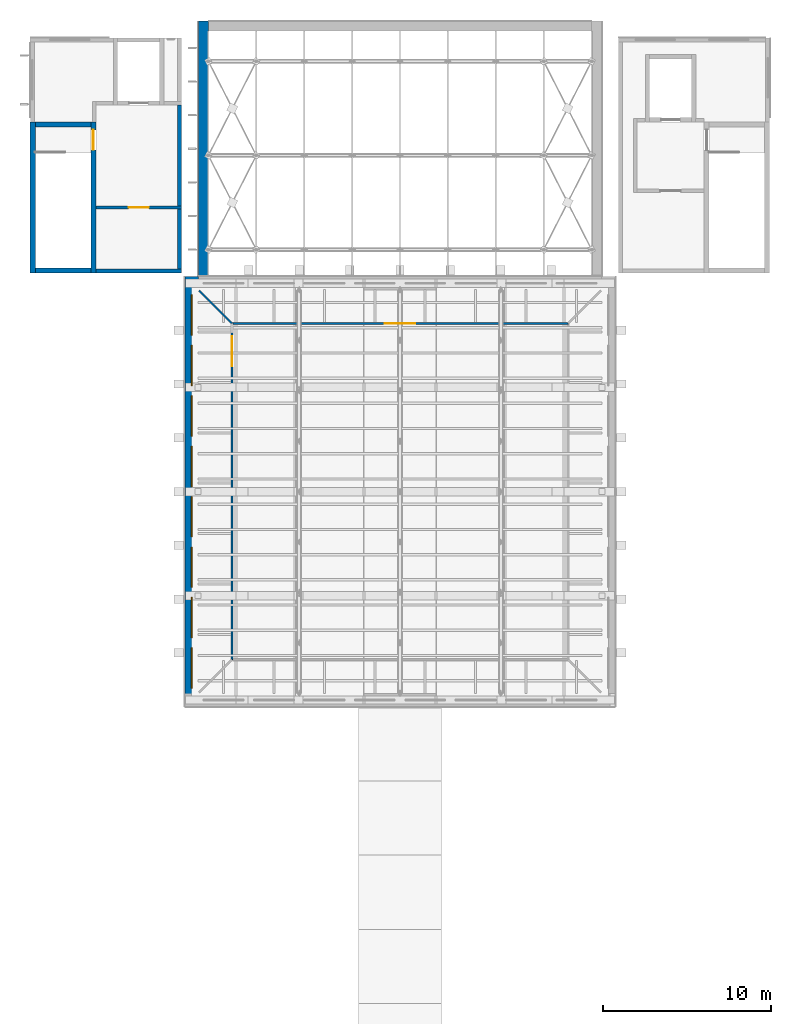
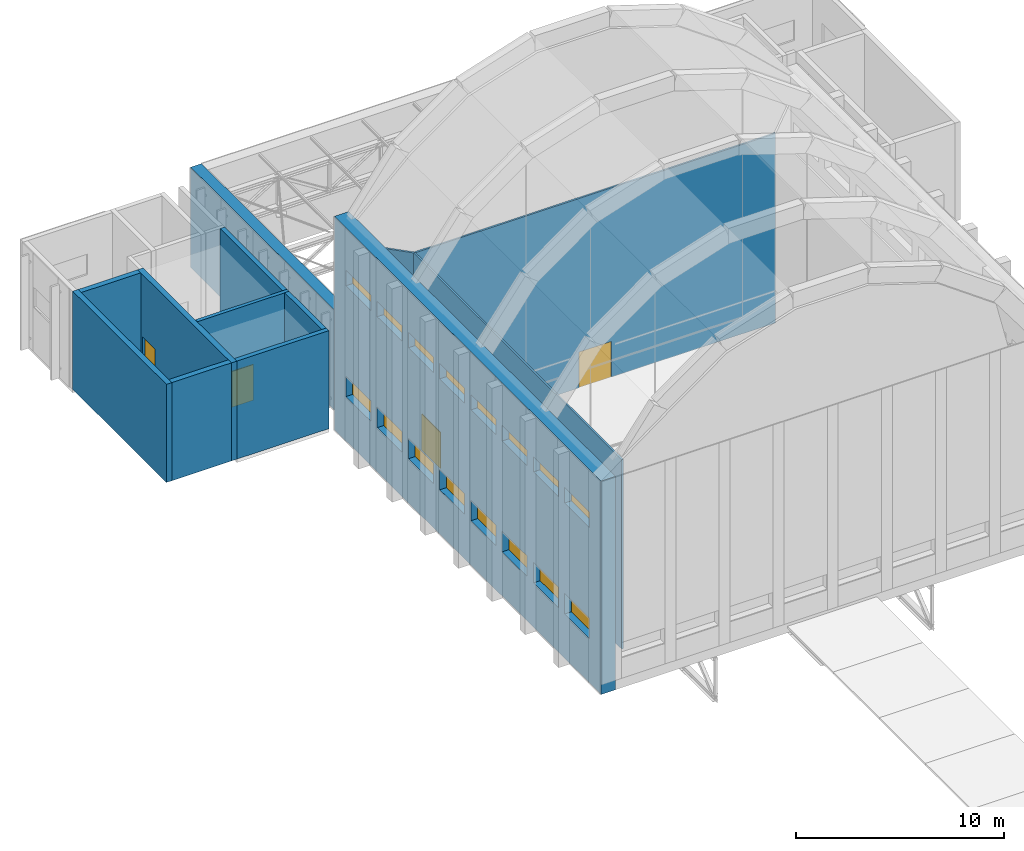
# One storey, part 45 of 55: 16 windows, 13 walls, 4 doors, 20 openings.
"""IFC4 building model written with IfcOpenShell, lengths in metres."""

import ifcopenshell
import ifcopenshell.guid

model = None  # the IFC model being written
_history = None  # IfcOwnerHistory: only IFC2X3 demands one
_inside = {}  # id of a spatial element -> (the spatial element, [elements in it])
_under = {}  # id of a project, library or spatial element -> (it, [spatial elements below it])
_declared = {}  # id of a project -> (the project, [libraries it declares])
_typed = {}  # id of a type object -> (the type object, [elements of that type])
_made_of = {}  # id of a material, layer set ... -> (it, [elements and type objects made of it])


def new_model(schema):
    """Start an empty IFC model of exactly this schema.

    Asked for "IFC4X3", IfcOpenShell would pick the latest addendum, in which some entities
    have other attributes; the version numbers below select the first issue.
    IFC2X3 requires an IfcOwnerHistory on every rooted entity: one is made here for all.
    """
    global model, _history
    if schema == "IFC4X3":
        model = ifcopenshell.file(schema_version=(4, 3, 0, 0))
    else:
        model = ifcopenshell.file(schema=schema)
    _inside.clear()
    _under.clear()
    _declared.clear()
    _typed.clear()
    _made_of.clear()
    _history = None
    if model.schema == "IFC2X3":
        org = make("IfcOrganization", Name="unknown")
        user = make(
            "IfcPersonAndOrganization",
            ThePerson=make("IfcPerson", FamilyName="unknown"),
            TheOrganization=org,
        )
        app = make(
            "IfcApplication",
            ApplicationDeveloper=org,
            Version="unknown",
            ApplicationFullName="unknown",
            ApplicationIdentifier="unknown",
        )
        _history = make(
            "IfcOwnerHistory",
            OwningUser=user,
            OwningApplication=app,
            ChangeAction="ADDED",
            CreationDate=0,
        )
    return model


def make(cls, **values):
    """One entity of the class cls with the attributes given. An attribute that is None is left unset."""
    return model.create_entity(
        cls, **{name: value for name, value in values.items() if value is not None}
    )


def rooted(cls, **values):
    """An entity with a GlobalId (a new one), such as an element, a storey or a relation."""
    return make(cls, GlobalId=ifcopenshell.guid.new(), OwnerHistory=_history, **values)


def si_unit(unit_type, name, prefix=None):
    """IfcSIUnit, for example si_unit("LENGTHUNIT", "METRE", prefix="MILLI")."""
    return make("IfcSIUnit", UnitType=unit_type, Prefix=prefix, Name=name)


def assignment(units):
    """IfcUnitAssignment: the units of a project."""
    return None if units is None else make("IfcUnitAssignment", Units=units)


def point(xyz):
    """IfcCartesianPoint."""
    return None if xyz is None else make("IfcCartesianPoint", Coordinates=xyz)


def direction(xyz):
    """IfcDirection."""
    return None if xyz is None else make("IfcDirection", DirectionRatios=xyz)


def frame(location, z_axis=None, x_axis=None):
    """IfcAxis2Placement3D, a coordinate frame: its origin and axes. An axis left out is left unset."""
    return make(
        "IfcAxis2Placement3D",
        Location=point(location),
        Axis=direction(z_axis),
        RefDirection=direction(x_axis),
    )


def frame_2d(location, x_axis=None):
    """IfcAxis2Placement2D, a coordinate frame in the plane: its origin and x axis."""
    return make(
        "IfcAxis2Placement2D", Location=point(location), RefDirection=direction(x_axis)
    )


def origin():
    """The frame at (0, 0, 0) with its axes left unset."""
    return frame((0.0, 0.0, 0.0))


def place(relative_to, where):
    """IfcLocalPlacement: puts the frame where relative to a parent placement (None: the world)."""
    return make(
        "IfcLocalPlacement", PlacementRelTo=relative_to, RelativePlacement=where
    )


def context(
    kind, dimensions, precision=None, world=None, true_north=None, identifier=None
):
    """IfcGeometricRepresentationContext, for example the 3D "Model" context."""
    return make(
        "IfcGeometricRepresentationContext",
        ContextIdentifier=identifier,
        ContextType=kind,
        CoordinateSpaceDimension=dimensions,
        Precision=precision,
        WorldCoordinateSystem=world,
        TrueNorth=true_north,
    )


def subcontext(parent, identifier, kind, view, scale=None):
    """IfcGeometricRepresentationSubContext, for example "Body" below "Model"."""
    return make(
        "IfcGeometricRepresentationSubContext",
        ContextIdentifier=identifier,
        ContextType=kind,
        ParentContext=parent,
        TargetScale=scale,
        TargetView=view,
    )


def project(units=None, contexts=None):
    """IfcProject with its units and contexts."""
    return rooted(
        "IfcProject",
        Name="project",
        RepresentationContexts=contexts,
        UnitsInContext=assignment(units),
    )


def spatial(cls, under=None, at=None, **own):
    """A site, building, storey or space (cls), placed at a placement, below another one or the project."""
    s = rooted(cls, ObjectPlacement=at, **own)
    if under is not None:
        _under.setdefault(under.id(), (under, []))[1].append(s)
    return s


def profile(cls, at=None, kind="AREA", **sizes):
    """A parametric profile (cls). Its sizes go by their IFC names, for example OverallWidth=200.0."""
    return make(cls, ProfileType=kind, Position=at, **sizes)


def rectangle(**sizes):
    """IfcRectangleProfileDef."""
    return profile("IfcRectangleProfileDef", **sizes)


def extrude(swept, where, along, depth):
    """IfcExtrudedAreaSolid: the profile swept, set in the frame where, extruded along a direction by depth."""
    return make(
        "IfcExtrudedAreaSolid",
        SweptArea=swept,
        Position=where,
        ExtrudedDirection=direction(along),
        Depth=depth,
    )


def shape(context_of_items, identifier, shape_type, items):
    """IfcShapeRepresentation: the items that make up one representation, for example the "Body"."""
    return make(
        "IfcShapeRepresentation",
        ContextOfItems=context_of_items,
        RepresentationIdentifier=identifier,
        RepresentationType=shape_type,
        Items=items,
    )


def material(Name=None, Category=None):
    """IfcMaterial."""
    return make("IfcMaterial", Name=Name, Category=Category)


def layer(
    of_material, thickness, ventilated=None, Name=None, Category=None, Priority=None
):
    """IfcMaterialLayer: one layer of a wall or slab, of a material (None: an air gap)."""
    return make(
        "IfcMaterialLayer",
        Material=of_material,
        LayerThickness=thickness,
        IsVentilated=ventilated,
        Name=Name,
        Category=Category,
        Priority=Priority,
    )


def layer_set(layers, Name=None):
    """IfcMaterialLayerSet."""
    return make("IfcMaterialLayerSet", MaterialLayers=layers, LayerSetName=Name)


def made_of(thing, what):
    """Note that an element or type object is made of a material, layer set ...; save() writes the relation."""
    if what is not None:
        _made_of.setdefault(what.id(), (what, []))[1].append(thing)
    return thing


def type_object(cls, material=None, **own):
    """A type object (cls), such as IfcWallType, which elements share."""
    return made_of(rooted(cls, **own), material)


def element(
    cls,
    number,
    at=None,
    inside=None,
    cuts=None,
    type_object=None,
    material=None,
    context=None,
    identifier="Body",
    shape_type=None,
    held_by="IfcProductDefinitionShape",
    body=None,
    shapes=None,
    **own,
):
    """One element of the class cls, such as IfcWall. Its Tag is "e" and its number.

    at: its placement. inside: the storey or other place that contains it. cuts: it is an
    opening in that element (IfcRelVoidsElement). A single representation is given by context,
    identifier, shape_type and body (its items); several are given by shapes. held_by: the class
    of the entity that holds the representations. save() writes the other relations.
    """
    e = rooted(cls, Tag="e%d" % number, ObjectPlacement=at, **own)
    if body is not None:
        shapes = [shape(context, identifier, shape_type, body)]
    if shapes is not None:
        e.Representation = make(held_by, Representations=shapes)
    if inside is not None:
        _inside.setdefault(inside.id(), (inside, []))[1].append(e)
    if cuts is not None:
        rooted(
            "IfcRelVoidsElement", RelatingBuildingElement=cuts, RelatedOpeningElement=e
        )
    if type_object is not None:
        _typed.setdefault(type_object.id(), (type_object, []))[1].append(e)
    return made_of(e, material)


def fill(opening, filler):
    """IfcRelFillsElement: the door or window that sits in an opening."""
    return rooted(
        "IfcRelFillsElement",
        RelatingOpeningElement=opening,
        RelatedBuildingElement=filler,
    )


def aggregate(whole, parts):
    """IfcRelAggregates: a whole, such as a stair, and the parts it consists of."""
    return rooted("IfcRelAggregates", RelatingObject=whole, RelatedObjects=parts)


def save(model, path):
    """Write the relations noted so far, then the file.

    IfcRelAggregates (storeys below a building ...), IfcRelContainedInSpatialStructure (elements
    in a storey), IfcRelDefinesByType, IfcRelAssociatesMaterial and IfcRelDeclares: one each for
    every whole, place, type object, material and project.
    """
    for whole, parts in _under.values():
        aggregate(whole, parts)
    for where, things in _inside.values():
        rooted(
            "IfcRelContainedInSpatialStructure",
            RelatedElements=things,
            RelatingStructure=where,
        )
    for kind, things in _typed.values():
        rooted("IfcRelDefinesByType", RelatedObjects=things, RelatingType=kind)
    for what, things in _made_of.values():
        rooted("IfcRelAssociatesMaterial", RelatedObjects=things, RelatingMaterial=what)
    for by, libraries in _declared.values():
        rooted("IfcRelDeclares", RelatingContext=by, RelatedDefinitions=libraries)
    model.write(path)


model = new_model("IFC4")

# Units and contexts
model_context = context("Model", 3, precision=1e-05, world=origin(), true_north=direction((0.0, 1.0)))
body_context = subcontext(model_context, "Body", "Model", "MODEL_VIEW")
ifc_project = project(units=[si_unit("LENGTHUNIT", "METRE"), si_unit("AREAUNIT", "SQUARE_METRE"), si_unit("VOLUMEUNIT", "CUBIC_METRE"), si_unit("PLANEANGLEUNIT", "RADIAN"), si_unit("MASSUNIT", "GRAM", prefix="KILO")], contexts=[model_context])

# Site, building, storey
site_placement = place(None, origin())
site = spatial("IfcSite", under=ifc_project, at=site_placement, CompositionType="ELEMENT")
building_placement = place(site_placement, origin())
building = spatial("IfcBuilding", under=site, at=building_placement, Name="Lunette Opera House", CompositionType="ELEMENT")
storey_placement = place(building_placement, frame((0.0, 0.0, 34.0)))
storey = spatial("IfcBuildingStorey", under=building, at=storey_placement, Name="L06", CompositionType="ELEMENT", Elevation=34.0)

# Wall, opening, door
ifc_material_1 = material(Name="Concrete C35/45", Category="concrete")
ifc_layer_1 = layer(ifc_material_1, 0.199951171875)
ifc_layer_set_1 = layer_set([ifc_layer_1], Name="Concrete C35/45")
wall_type_1 = type_object("IfcWallType", Name="LOBBY WALL 200", PredefinedType="PARTITIONING", material=ifc_layer_set_1)
wall_1_placement = place(storey_placement, frame((77.919921875, 124.89990234375, 0.0), z_axis=(0.0, 0.0, 1.0), x_axis=(1.0, 0.0, 0.0)))
wall_1 = element("IfcWall", 1, at=wall_1_placement, inside=storey, type_object=wall_type_1, Name="LL-SW lobby wall 4a", PredefinedType="PARTITIONING", context=body_context, shape_type="SweptSolid", body=[
    extrude(rectangle(XDim=5.080078125, YDim=0.199951171875, at=frame_2d((2.5400390625, 0.0))), origin(), (0.0, 0.0, 1.0), 5.75),
])
opening_1_placement = place(wall_1_placement, frame((1.93994140625, 0.0, 0.0)))
opening_1 = element("IfcOpeningElement", 2, at=opening_1_placement, cuts=wall_1, Name="Opening ST-D7040", PredefinedType="OPENING", context=body_context, shape_type="SweptSolid", body=[
    extrude(rectangle(XDim=1.199951171875, YDim=2.10009765625, at=frame_2d((0.60009765625, 1.050048828125))), frame((0.0, 0.112060546875, 0.0), z_axis=(0.0, -1.0, 0.0), x_axis=(1.0, 0.0, 0.0)), (0.0, 0.0, 1.0), 0.223876953125),
])
ifc_material_2 = material(Name="Steel", Category="steel")
door_type_1 = type_object("IfcDoorType", Name="FIRE DOOR 1200 X 2100", OperationType="SINGLE_SWING_LEFT", PredefinedType="DOOR", material=ifc_material_2)
door_1_placement = place(opening_1_placement, origin())
door_1 = element("IfcDoor", 3, at=door_1_placement, inside=storey, type_object=door_type_1, Name="LL-SW lobby door", OperationType="SINGLE_SWING_LEFT", OverallHeight=2.10009765625, OverallWidth=1.199951171875, PredefinedType="DOOR", context=body_context, shape_type="SweptSolid", body=[
    extrude(rectangle(XDim=1.199951171875, YDim=2.10009765625, at=frame_2d((0.60009765625, 1.050048828125))), frame((0.0, 0.02490234375, 0.0), z_axis=(0.0, -1.0, 0.0), x_axis=(1.0, 0.0, 0.0)), (0.0, 0.0, 1.0), 0.050048828125),
])
fill(opening_1, door_1)

ifc_material_3 = material(Name="Concrete C35/45", Category="concrete")
ifc_layer_2 = layer(ifc_material_3, 0.300048828125)
ifc_layer_set_2 = layer_set([ifc_layer_2], Name="Concrete C35/45")
wall_type_2 = type_object("IfcWallType", Name="RC STAIR ENCLOSURE WALL 300", PredefinedType="SOLIDWALL", material=ifc_layer_set_2)
wall_2_placement = place(storey_placement, frame((77.75, 121.0, 0.0), z_axis=(0.0, 0.0, 1.0), x_axis=(0.0, 1.0, 0.0)))
wall_2 = element("IfcWall", 4, at=wall_2_placement, inside=storey, type_object=wall_type_2, Name="ST11 enclosure wall 1", PredefinedType="SOLIDWALL", context=body_context, shape_type="SweptSolid", body=[
    extrude(rectangle(XDim=9.0, YDim=0.300048828125, at=frame_2d((4.5, 0.0))), origin(), (0.0, 0.0, 1.0), 5.75),
])
opening_2_placement = place(wall_2_placement, frame((7.324951171875, 0.0, 0.0)))
opening_2 = element("IfcOpeningElement", 5, at=opening_2_placement, cuts=wall_2, Name="Opening ST-D7009", PredefinedType="OPENING", context=body_context, shape_type="SweptSolid", body=[
    extrude(rectangle(XDim=1.199951171875, YDim=2.10009765625, at=frame_2d((0.60009765625, 1.050048828125))), frame((0.0, 0.162109375, 0.0), z_axis=(0.0, -1.0, 0.0), x_axis=(1.0, 0.0, 0.0)), (0.0, 0.0, 1.0), 0.323974609375),
])
door_2_placement = place(opening_2_placement, origin())
door_2 = element("IfcDoor", 6, at=door_2_placement, inside=storey, type_object=door_type_1, Name="ST11 stair door", OperationType="SINGLE_SWING_LEFT", OverallHeight=2.10009765625, OverallWidth=1.199951171875, PredefinedType="DOOR", context=body_context, shape_type="SweptSolid", body=[
    extrude(rectangle(XDim=1.199951171875, YDim=2.10009765625, at=frame_2d((0.60009765625, 1.050048828125))), frame((0.0, 0.02490234375, 0.0), z_axis=(0.0, -1.0, 0.0), x_axis=(1.0, 0.0, 0.0)), (0.0, 0.0, 1.0), 0.050048828125),
])
fill(opening_2, door_2)

# Walls
wall_3_placement = place(storey_placement, frame((77.60009765625, 129.85009765625, 0.0), z_axis=(0.0, 0.0, 1.0), x_axis=(-1.0, 0.0, 0.0)))
element("IfcWall", 7, at=wall_3_placement, inside=storey, type_object=wall_type_2, Name="ST11 enclosure wall 2", PredefinedType="SOLIDWALL", context=body_context, shape_type="SweptSolid", body=[
    extrude(rectangle(XDim=3.300048828125, YDim=0.300048828125, at=frame_2d((1.64990234375, 0.0))), origin(), (0.0, 0.0, 1.0), 5.75),
])
wall_4_placement = place(storey_placement, frame((74.14990234375, 130.0, 0.0), z_axis=(0.0, 0.0, 1.0), x_axis=(0.0, -1.0, 0.0)))
element("IfcWall", 8, at=wall_4_placement, inside=storey, type_object=wall_type_2, Name="ST11 enclosure wall 3", PredefinedType="SOLIDWALL", context=body_context, shape_type="SweptSolid", body=[
    extrude(rectangle(XDim=9.0, YDim=0.300048828125, at=frame_2d((4.5, 0.0))), origin(), (0.0, 0.0, 1.0), 5.75),
])
wall_5_placement = place(storey_placement, frame((74.300048828125, 121.14990234375, 0.0), z_axis=(0.0, 0.0, 1.0), x_axis=(1.0, 0.0, 0.0)))
element("IfcWall", 9, at=wall_5_placement, inside=storey, type_object=wall_type_2, Name="ST11 enclosure wall 4", PredefinedType="SOLIDWALL", context=body_context, shape_type="SweptSolid", body=[
    extrude(rectangle(XDim=3.300048828125, YDim=0.300048828125, at=frame_2d((1.64990234375, 0.0))), origin(), (0.0, 0.0, 1.0), 5.75),
])
ifc_material_4 = material(Name="Concrete C35/45", Category="concrete")
ifc_layer_3 = layer(ifc_material_4, 0.60009765625)
ifc_layer_set_3 = layer_set([ifc_layer_3], Name="Concrete C35/45")
wall_type_3 = type_object("IfcWallType", Name="RC WALL 600", PredefinedType="SHEAR", material=ifc_layer_set_3)
wall_6_placement = place(storey_placement, frame((84.300048828125, 120.800048828125, 0.0), z_axis=(0.0, 0.0, 1.0), x_axis=(0.0, 1.0, 0.0)))
element("IfcWall", 10, at=wall_6_placement, inside=storey, type_object=wall_type_3, Name="wall-ST-L06-SR-W-1", PredefinedType="SHEAR", context=body_context, shape_type="SweptSolid", body=[
    extrude(rectangle(XDim=15.199951171875, YDim=0.60009765625, at=frame_2d((7.60009765625, 0.0))), origin(), (0.0, 0.0, 1.0), 5.8798828125),
])

# Wall, openings, windows
ifc_material_5 = material(Name="Concrete C40/50", Category="concrete")
ifc_layer_4 = layer(ifc_material_5, 0.800048828125)
ifc_layer_set_4 = layer_set([ifc_layer_4], Name="Concrete C40/50")
wall_type_4 = type_object("IfcWallType", Name="RC WALL 800", PredefinedType="SHEAR", material=ifc_layer_set_4)
wall_7_placement = place(storey_placement, frame((83.60009765625, 95.199951171875, 0.0), z_axis=(0.0, 0.0, 1.0), x_axis=(0.0, 1.0, 0.0)))
wall_7 = element("IfcWall", 11, at=wall_7_placement, inside=storey, type_object=wall_type_4, Name="wall-ST-L06-WW-1", PredefinedType="SHEAR", context=body_context, shape_type="SweptSolid", body=[
    extrude(rectangle(XDim=25.60009765625, YDim=0.800048828125, at=frame_2d((12.800048828125, 0.0))), origin(), (0.0, 0.0, 1.0), 12.5),
])
opening_3_placement = place(wall_7_placement, frame((1.10009765625, 0.0, 2.60009765625)))
opening_3 = element("IfcOpeningElement", 12, at=opening_3_placement, cuts=wall_7, Name="Opening ST-N2017", PredefinedType="OPENING", context=body_context, shape_type="SweptSolid", body=[
    extrude(rectangle(XDim=2.39990234375, YDim=1.199951171875, at=frame_2d((1.199951171875, 0.60009765625))), frame((0.0, 0.412109375, 0.0), z_axis=(0.0, -1.0, 0.0), x_axis=(1.0, 0.0, 0.0)), (0.0, 0.0, 1.0), 0.823974609375),
])
opening_4_placement = place(wall_7_placement, frame((4.10009765625, 0.0, 2.60009765625)))
opening_4 = element("IfcOpeningElement", 13, at=opening_4_placement, cuts=wall_7, Name="Opening ST-N2018", PredefinedType="OPENING", context=body_context, shape_type="SweptSolid", body=[
    extrude(rectangle(XDim=2.39990234375, YDim=1.199951171875, at=frame_2d((1.199951171875, 0.60009765625))), frame((0.0, 0.412109375, 0.0), z_axis=(0.0, -1.0, 0.0), x_axis=(1.0, 0.0, 0.0)), (0.0, 0.0, 1.0), 0.823974609375),
])
opening_5_placement = place(wall_7_placement, frame((7.10009765625, 0.0, 2.60009765625)))
opening_5 = element("IfcOpeningElement", 14, at=opening_5_placement, cuts=wall_7, Name="Opening ST-N2019", PredefinedType="OPENING", context=body_context, shape_type="SweptSolid", body=[
    extrude(rectangle(XDim=2.39990234375, YDim=1.199951171875, at=frame_2d((1.199951171875, 0.60009765625))), frame((0.0, 0.412109375, 0.0), z_axis=(0.0, -1.0, 0.0), x_axis=(1.0, 0.0, 0.0)), (0.0, 0.0, 1.0), 0.823974609375),
])
opening_6_placement = place(wall_7_placement, frame((10.10009765625, 0.0, 2.60009765625)))
opening_6 = element("IfcOpeningElement", 15, at=opening_6_placement, cuts=wall_7, Name="Opening ST-N2020", PredefinedType="OPENING", context=body_context, shape_type="SweptSolid", body=[
    extrude(rectangle(XDim=2.39990234375, YDim=1.199951171875, at=frame_2d((1.199951171875, 0.60009765625))), frame((0.0, 0.412109375, 0.0), z_axis=(0.0, -1.0, 0.0), x_axis=(1.0, 0.0, 0.0)), (0.0, 0.0, 1.0), 0.823974609375),
])
opening_7_placement = place(wall_7_placement, frame((13.10009765625, 0.0, 2.60009765625)))
opening_7 = element("IfcOpeningElement", 16, at=opening_7_placement, cuts=wall_7, Name="Opening ST-N2021", PredefinedType="OPENING", context=body_context, shape_type="SweptSolid", body=[
    extrude(rectangle(XDim=2.39990234375, YDim=1.199951171875, at=frame_2d((1.199951171875, 0.60009765625))), frame((0.0, 0.412109375, 0.0), z_axis=(0.0, -1.0, 0.0), x_axis=(1.0, 0.0, 0.0)), (0.0, 0.0, 1.0), 0.823974609375),
])
opening_8_placement = place(wall_7_placement, frame((16.10009765625, 0.0, 2.60009765625)))
opening_8 = element("IfcOpeningElement", 17, at=opening_8_placement, cuts=wall_7, Name="Opening ST-N2022", PredefinedType="OPENING", context=body_context, shape_type="SweptSolid", body=[
    extrude(rectangle(XDim=2.39990234375, YDim=1.199951171875, at=frame_2d((1.199951171875, 0.60009765625))), frame((0.0, 0.412109375, 0.0), z_axis=(0.0, -1.0, 0.0), x_axis=(1.0, 0.0, 0.0)), (0.0, 0.0, 1.0), 0.823974609375),
])
opening_9_placement = place(wall_7_placement, frame((19.10009765625, 0.0, 2.60009765625)))
opening_9 = element("IfcOpeningElement", 18, at=opening_9_placement, cuts=wall_7, Name="Opening ST-N2023", PredefinedType="OPENING", context=body_context, shape_type="SweptSolid", body=[
    extrude(rectangle(XDim=2.39990234375, YDim=1.199951171875, at=frame_2d((1.199951171875, 0.60009765625))), frame((0.0, 0.412109375, 0.0), z_axis=(0.0, -1.0, 0.0), x_axis=(1.0, 0.0, 0.0)), (0.0, 0.0, 1.0), 0.823974609375),
])
opening_10_placement = place(wall_7_placement, frame((22.10009765625, 0.0, 2.60009765625)))
opening_10 = element("IfcOpeningElement", 19, at=opening_10_placement, cuts=wall_7, Name="Opening ST-N2024", PredefinedType="OPENING", context=body_context, shape_type="SweptSolid", body=[
    extrude(rectangle(XDim=2.39990234375, YDim=1.199951171875, at=frame_2d((1.199951171875, 0.60009765625))), frame((0.0, 0.412109375, 0.0), z_axis=(0.0, -1.0, 0.0), x_axis=(1.0, 0.0, 0.0)), (0.0, 0.0, 1.0), 0.823974609375),
])
opening_11_placement = place(wall_7_placement, frame((1.10009765625, 0.0, 9.10009765625)))
opening_11 = element("IfcOpeningElement", 20, at=opening_11_placement, cuts=wall_7, Name="Opening ST-N2025", PredefinedType="OPENING", context=body_context, shape_type="SweptSolid", body=[
    extrude(rectangle(XDim=2.39990234375, YDim=0.89990234375, at=frame_2d((1.199951171875, 0.449951171875))), frame((0.0, 0.412109375, 0.0), z_axis=(0.0, -1.0, 0.0), x_axis=(1.0, 0.0, 0.0)), (0.0, 0.0, 1.0), 0.823974609375),
])
opening_12_placement = place(wall_7_placement, frame((4.10009765625, 0.0, 9.10009765625)))
opening_12 = element("IfcOpeningElement", 21, at=opening_12_placement, cuts=wall_7, Name="Opening ST-N2026", PredefinedType="OPENING", context=body_context, shape_type="SweptSolid", body=[
    extrude(rectangle(XDim=2.39990234375, YDim=0.89990234375, at=frame_2d((1.199951171875, 0.449951171875))), frame((0.0, 0.412109375, 0.0), z_axis=(0.0, -1.0, 0.0), x_axis=(1.0, 0.0, 0.0)), (0.0, 0.0, 1.0), 0.823974609375),
])
opening_13_placement = place(wall_7_placement, frame((7.10009765625, 0.0, 9.10009765625)))
opening_13 = element("IfcOpeningElement", 22, at=opening_13_placement, cuts=wall_7, Name="Opening ST-N2027", PredefinedType="OPENING", context=body_context, shape_type="SweptSolid", body=[
    extrude(rectangle(XDim=2.39990234375, YDim=0.89990234375, at=frame_2d((1.199951171875, 0.449951171875))), frame((0.0, 0.412109375, 0.0), z_axis=(0.0, -1.0, 0.0), x_axis=(1.0, 0.0, 0.0)), (0.0, 0.0, 1.0), 0.823974609375),
])
opening_14_placement = place(wall_7_placement, frame((10.10009765625, 0.0, 9.10009765625)))
opening_14 = element("IfcOpeningElement", 23, at=opening_14_placement, cuts=wall_7, Name="Opening ST-N2028", PredefinedType="OPENING", context=body_context, shape_type="SweptSolid", body=[
    extrude(rectangle(XDim=2.39990234375, YDim=0.89990234375, at=frame_2d((1.199951171875, 0.449951171875))), frame((0.0, 0.412109375, 0.0), z_axis=(0.0, -1.0, 0.0), x_axis=(1.0, 0.0, 0.0)), (0.0, 0.0, 1.0), 0.823974609375),
])
opening_15_placement = place(wall_7_placement, frame((13.10009765625, 0.0, 9.10009765625)))
opening_15 = element("IfcOpeningElement", 24, at=opening_15_placement, cuts=wall_7, Name="Opening ST-N2029", PredefinedType="OPENING", context=body_context, shape_type="SweptSolid", body=[
    extrude(rectangle(XDim=2.39990234375, YDim=0.89990234375, at=frame_2d((1.199951171875, 0.449951171875))), frame((0.0, 0.412109375, 0.0), z_axis=(0.0, -1.0, 0.0), x_axis=(1.0, 0.0, 0.0)), (0.0, 0.0, 1.0), 0.823974609375),
])
opening_16_placement = place(wall_7_placement, frame((16.10009765625, 0.0, 9.10009765625)))
opening_16 = element("IfcOpeningElement", 25, at=opening_16_placement, cuts=wall_7, Name="Opening ST-N2030", PredefinedType="OPENING", context=body_context, shape_type="SweptSolid", body=[
    extrude(rectangle(XDim=2.39990234375, YDim=0.89990234375, at=frame_2d((1.199951171875, 0.449951171875))), frame((0.0, 0.412109375, 0.0), z_axis=(0.0, -1.0, 0.0), x_axis=(1.0, 0.0, 0.0)), (0.0, 0.0, 1.0), 0.823974609375),
])
opening_17_placement = place(wall_7_placement, frame((19.10009765625, 0.0, 9.10009765625)))
opening_17 = element("IfcOpeningElement", 26, at=opening_17_placement, cuts=wall_7, Name="Opening ST-N2031", PredefinedType="OPENING", context=body_context, shape_type="SweptSolid", body=[
    extrude(rectangle(XDim=2.39990234375, YDim=0.89990234375, at=frame_2d((1.199951171875, 0.449951171875))), frame((0.0, 0.412109375, 0.0), z_axis=(0.0, -1.0, 0.0), x_axis=(1.0, 0.0, 0.0)), (0.0, 0.0, 1.0), 0.823974609375),
])
opening_18_placement = place(wall_7_placement, frame((22.10009765625, 0.0, 9.10009765625)))
opening_18 = element("IfcOpeningElement", 27, at=opening_18_placement, cuts=wall_7, Name="Opening ST-N2032", PredefinedType="OPENING", context=body_context, shape_type="SweptSolid", body=[
    extrude(rectangle(XDim=2.39990234375, YDim=0.89990234375, at=frame_2d((1.199951171875, 0.449951171875))), frame((0.0, 0.412109375, 0.0), z_axis=(0.0, -1.0, 0.0), x_axis=(1.0, 0.0, 0.0)), (0.0, 0.0, 1.0), 0.823974609375),
])
ifc_material_6 = material(Name="Aluminium", Category="aluminium")
window_type_1 = type_object("IfcWindowType", Name="SMOKE VENT LOUVRE 2400 X 900", PartitioningType="SINGLE_PANEL", PredefinedType="WINDOW", material=ifc_material_6)
window_1_placement = place(opening_11_placement, origin())
window_1 = element("IfcWindow", 28, at=window_1_placement, inside=storey, type_object=window_type_1, Name="Smoke Vent Louvre 2400 X 900 TLW1 L06", OverallHeight=0.89990234375, OverallWidth=2.39990234375, PartitioningType="SINGLE_PANEL", PredefinedType="WINDOW", context=body_context, shape_type="SweptSolid", body=[
    extrude(rectangle(XDim=2.39990234375, YDim=0.89990234375, at=frame_2d((1.199951171875, 0.449951171875))), frame((0.0, 0.030029296875, 0.0), z_axis=(0.0, -1.0, 0.0), x_axis=(1.0, 0.0, 0.0)), (0.0, 0.0, 1.0), 0.06005859375),
])
fill(opening_11, window_1)
window_2_placement = place(opening_12_placement, origin())
window_2 = element("IfcWindow", 29, at=window_2_placement, inside=storey, type_object=window_type_1, Name="Smoke Vent Louvre 2400 X 900 TLW2 L06", OverallHeight=0.89990234375, OverallWidth=2.39990234375, PartitioningType="SINGLE_PANEL", PredefinedType="WINDOW", context=body_context, shape_type="SweptSolid", body=[
    extrude(rectangle(XDim=2.39990234375, YDim=0.89990234375, at=frame_2d((1.199951171875, 0.449951171875))), frame((0.0, 0.030029296875, 0.0), z_axis=(0.0, -1.0, 0.0), x_axis=(1.0, 0.0, 0.0)), (0.0, 0.0, 1.0), 0.06005859375),
])
fill(opening_12, window_2)
window_3_placement = place(opening_13_placement, origin())
window_3 = element("IfcWindow", 30, at=window_3_placement, inside=storey, type_object=window_type_1, Name="Smoke Vent Louvre 2400 X 900 TLW3 L06", OverallHeight=0.89990234375, OverallWidth=2.39990234375, PartitioningType="SINGLE_PANEL", PredefinedType="WINDOW", context=body_context, shape_type="SweptSolid", body=[
    extrude(rectangle(XDim=2.39990234375, YDim=0.89990234375, at=frame_2d((1.199951171875, 0.449951171875))), frame((0.0, 0.030029296875, 0.0), z_axis=(0.0, -1.0, 0.0), x_axis=(1.0, 0.0, 0.0)), (0.0, 0.0, 1.0), 0.06005859375),
])
fill(opening_13, window_3)
window_4_placement = place(opening_14_placement, origin())
window_4 = element("IfcWindow", 31, at=window_4_placement, inside=storey, type_object=window_type_1, Name="Smoke Vent Louvre 2400 X 900 TLW4 L06", OverallHeight=0.89990234375, OverallWidth=2.39990234375, PartitioningType="SINGLE_PANEL", PredefinedType="WINDOW", context=body_context, shape_type="SweptSolid", body=[
    extrude(rectangle(XDim=2.39990234375, YDim=0.89990234375, at=frame_2d((1.199951171875, 0.449951171875))), frame((0.0, 0.030029296875, 0.0), z_axis=(0.0, -1.0, 0.0), x_axis=(1.0, 0.0, 0.0)), (0.0, 0.0, 1.0), 0.06005859375),
])
fill(opening_14, window_4)
window_5_placement = place(opening_15_placement, origin())
window_5 = element("IfcWindow", 32, at=window_5_placement, inside=storey, type_object=window_type_1, Name="Smoke Vent Louvre 2400 X 900 TLW5 L06", OverallHeight=0.89990234375, OverallWidth=2.39990234375, PartitioningType="SINGLE_PANEL", PredefinedType="WINDOW", context=body_context, shape_type="SweptSolid", body=[
    extrude(rectangle(XDim=2.39990234375, YDim=0.89990234375, at=frame_2d((1.199951171875, 0.449951171875))), frame((0.0, 0.030029296875, 0.0), z_axis=(0.0, -1.0, 0.0), x_axis=(1.0, 0.0, 0.0)), (0.0, 0.0, 1.0), 0.06005859375),
])
fill(opening_15, window_5)
window_6_placement = place(opening_16_placement, origin())
window_6 = element("IfcWindow", 33, at=window_6_placement, inside=storey, type_object=window_type_1, Name="Smoke Vent Louvre 2400 X 900 TLW6 L06", OverallHeight=0.89990234375, OverallWidth=2.39990234375, PartitioningType="SINGLE_PANEL", PredefinedType="WINDOW", context=body_context, shape_type="SweptSolid", body=[
    extrude(rectangle(XDim=2.39990234375, YDim=0.89990234375, at=frame_2d((1.199951171875, 0.449951171875))), frame((0.0, 0.030029296875, 0.0), z_axis=(0.0, -1.0, 0.0), x_axis=(1.0, 0.0, 0.0)), (0.0, 0.0, 1.0), 0.06005859375),
])
fill(opening_16, window_6)
window_7_placement = place(opening_17_placement, origin())
window_7 = element("IfcWindow", 34, at=window_7_placement, inside=storey, type_object=window_type_1, Name="Smoke Vent Louvre 2400 X 900 TLW7 L06", OverallHeight=0.89990234375, OverallWidth=2.39990234375, PartitioningType="SINGLE_PANEL", PredefinedType="WINDOW", context=body_context, shape_type="SweptSolid", body=[
    extrude(rectangle(XDim=2.39990234375, YDim=0.89990234375, at=frame_2d((1.199951171875, 0.449951171875))), frame((0.0, 0.030029296875, 0.0), z_axis=(0.0, -1.0, 0.0), x_axis=(1.0, 0.0, 0.0)), (0.0, 0.0, 1.0), 0.06005859375),
])
fill(opening_17, window_7)
window_8_placement = place(opening_18_placement, origin())
window_8 = element("IfcWindow", 35, at=window_8_placement, inside=storey, type_object=window_type_1, Name="Smoke Vent Louvre 2400 X 900 TLW8 L06", OverallHeight=0.89990234375, OverallWidth=2.39990234375, PartitioningType="SINGLE_PANEL", PredefinedType="WINDOW", context=body_context, shape_type="SweptSolid", body=[
    extrude(rectangle(XDim=2.39990234375, YDim=0.89990234375, at=frame_2d((1.199951171875, 0.449951171875))), frame((0.0, 0.030029296875, 0.0), z_axis=(0.0, -1.0, 0.0), x_axis=(1.0, 0.0, 0.0)), (0.0, 0.0, 1.0), 0.06005859375),
])
fill(opening_18, window_8)
ifc_material_7 = material(Name="Aluminium", Category="aluminium")
window_type_2 = type_object("IfcWindowType", Name="TOWER RIBBON WINDOW 2400 X 1200", PartitioningType="SINGLE_PANEL", PredefinedType="WINDOW", material=ifc_material_7)
window_9_placement = place(opening_3_placement, origin())
window_9 = element("IfcWindow", 36, at=window_9_placement, inside=storey, type_object=window_type_2, Name="Tower Ribbon Window 2400 X 1200 TWW1 L06", OverallHeight=1.199951171875, OverallWidth=2.39990234375, PartitioningType="SINGLE_PANEL", PredefinedType="WINDOW", context=body_context, shape_type="SweptSolid", body=[
    extrude(rectangle(XDim=2.39990234375, YDim=1.199951171875, at=frame_2d((1.199951171875, 0.60009765625))), frame((0.0, 0.030029296875, 0.0), z_axis=(0.0, -1.0, 0.0), x_axis=(1.0, 0.0, 0.0)), (0.0, 0.0, 1.0), 0.06005859375),
])
fill(opening_3, window_9)
window_10_placement = place(opening_4_placement, origin())
window_10 = element("IfcWindow", 37, at=window_10_placement, inside=storey, type_object=window_type_2, Name="Tower Ribbon Window 2400 X 1200 TWW2 L06", OverallHeight=1.199951171875, OverallWidth=2.39990234375, PartitioningType="SINGLE_PANEL", PredefinedType="WINDOW", context=body_context, shape_type="SweptSolid", body=[
    extrude(rectangle(XDim=2.39990234375, YDim=1.199951171875, at=frame_2d((1.199951171875, 0.60009765625))), frame((0.0, 0.030029296875, 0.0), z_axis=(0.0, -1.0, 0.0), x_axis=(1.0, 0.0, 0.0)), (0.0, 0.0, 1.0), 0.06005859375),
])
fill(opening_4, window_10)
window_11_placement = place(opening_5_placement, origin())
window_11 = element("IfcWindow", 38, at=window_11_placement, inside=storey, type_object=window_type_2, Name="Tower Ribbon Window 2400 X 1200 TWW3 L06", OverallHeight=1.199951171875, OverallWidth=2.39990234375, PartitioningType="SINGLE_PANEL", PredefinedType="WINDOW", context=body_context, shape_type="SweptSolid", body=[
    extrude(rectangle(XDim=2.39990234375, YDim=1.199951171875, at=frame_2d((1.199951171875, 0.60009765625))), frame((0.0, 0.030029296875, 0.0), z_axis=(0.0, -1.0, 0.0), x_axis=(1.0, 0.0, 0.0)), (0.0, 0.0, 1.0), 0.06005859375),
])
fill(opening_5, window_11)
window_12_placement = place(opening_6_placement, origin())
window_12 = element("IfcWindow", 39, at=window_12_placement, inside=storey, type_object=window_type_2, Name="Tower Ribbon Window 2400 X 1200 TWW4 L06", OverallHeight=1.199951171875, OverallWidth=2.39990234375, PartitioningType="SINGLE_PANEL", PredefinedType="WINDOW", context=body_context, shape_type="SweptSolid", body=[
    extrude(rectangle(XDim=2.39990234375, YDim=1.199951171875, at=frame_2d((1.199951171875, 0.60009765625))), frame((0.0, 0.030029296875, 0.0), z_axis=(0.0, -1.0, 0.0), x_axis=(1.0, 0.0, 0.0)), (0.0, 0.0, 1.0), 0.06005859375),
])
fill(opening_6, window_12)
window_13_placement = place(opening_7_placement, origin())
window_13 = element("IfcWindow", 40, at=window_13_placement, inside=storey, type_object=window_type_2, Name="Tower Ribbon Window 2400 X 1200 TWW5 L06", OverallHeight=1.199951171875, OverallWidth=2.39990234375, PartitioningType="SINGLE_PANEL", PredefinedType="WINDOW", context=body_context, shape_type="SweptSolid", body=[
    extrude(rectangle(XDim=2.39990234375, YDim=1.199951171875, at=frame_2d((1.199951171875, 0.60009765625))), frame((0.0, 0.030029296875, 0.0), z_axis=(0.0, -1.0, 0.0), x_axis=(1.0, 0.0, 0.0)), (0.0, 0.0, 1.0), 0.06005859375),
])
fill(opening_7, window_13)
window_14_placement = place(opening_8_placement, origin())
window_14 = element("IfcWindow", 41, at=window_14_placement, inside=storey, type_object=window_type_2, Name="Tower Ribbon Window 2400 X 1200 TWW6 L06", OverallHeight=1.199951171875, OverallWidth=2.39990234375, PartitioningType="SINGLE_PANEL", PredefinedType="WINDOW", context=body_context, shape_type="SweptSolid", body=[
    extrude(rectangle(XDim=2.39990234375, YDim=1.199951171875, at=frame_2d((1.199951171875, 0.60009765625))), frame((0.0, 0.030029296875, 0.0), z_axis=(0.0, -1.0, 0.0), x_axis=(1.0, 0.0, 0.0)), (0.0, 0.0, 1.0), 0.06005859375),
])
fill(opening_8, window_14)
window_15_placement = place(opening_9_placement, origin())
window_15 = element("IfcWindow", 42, at=window_15_placement, inside=storey, type_object=window_type_2, Name="Tower Ribbon Window 2400 X 1200 TWW7 L06", OverallHeight=1.199951171875, OverallWidth=2.39990234375, PartitioningType="SINGLE_PANEL", PredefinedType="WINDOW", context=body_context, shape_type="SweptSolid", body=[
    extrude(rectangle(XDim=2.39990234375, YDim=1.199951171875, at=frame_2d((1.199951171875, 0.60009765625))), frame((0.0, 0.030029296875, 0.0), z_axis=(0.0, -1.0, 0.0), x_axis=(1.0, 0.0, 0.0)), (0.0, 0.0, 1.0), 0.06005859375),
])
fill(opening_9, window_15)
window_16_placement = place(opening_10_placement, origin())
window_16 = element("IfcWindow", 43, at=window_16_placement, inside=storey, type_object=window_type_2, Name="Tower Ribbon Window 2400 X 1200 TWW8 L06", OverallHeight=1.199951171875, OverallWidth=2.39990234375, PartitioningType="SINGLE_PANEL", PredefinedType="WINDOW", context=body_context, shape_type="SweptSolid", body=[
    extrude(rectangle(XDim=2.39990234375, YDim=1.199951171875, at=frame_2d((1.199951171875, 0.60009765625))), frame((0.0, 0.030029296875, 0.0), z_axis=(0.0, -1.0, 0.0), x_axis=(1.0, 0.0, 0.0)), (0.0, 0.0, 1.0), 0.06005859375),
])
fill(opening_10, window_16)

# Walls
ifc_material_8 = material(Name="Insulated aluminium sandwich panel", Category="aluminium")
ifc_layer_5 = layer(ifc_material_8, 0.25)
ifc_layer_set_5 = layer_set([ifc_layer_5], Name="Insulated aluminium sandwich panel")
wall_type_5 = type_object("IfcWallType", Name="STAGE TOWER WALL 250", PredefinedType="SOLIDWALL", material=ifc_layer_set_5)
wall_8_placement = place(storey_placement, frame((77.89794921875, 121.125, 0.0), z_axis=(0.0, 0.0, 1.0), x_axis=(1.0, 0.0, 0.0)))
element("IfcWall", 44, at=wall_8_placement, inside=storey, type_object=wall_type_5, Name="Stage Tower Wall 250 TW-051 L06", PredefinedType="SOLIDWALL", context=body_context, shape_type="SweptSolid", body=[
    extrude(rectangle(XDim=5.10205078125, YDim=0.25, at=frame_2d((2.551025390625, 0.0))), origin(), (0.0, 0.0, 1.0), 5.75),
])
wall_9_placement = place(storey_placement, frame((82.875, 121.25, 0.0), z_axis=(0.0, 0.0, 1.0), x_axis=(0.0, 1.0, 0.0)))
element("IfcWall", 45, at=wall_9_placement, inside=storey, type_object=wall_type_5, Name="Stage Tower Wall 250 TW-052 L06", PredefinedType="SOLIDWALL", context=body_context, shape_type="SweptSolid", body=[
    extrude(rectangle(XDim=3.554931640625, YDim=0.25, at=frame_2d((1.77734375, 0.0))), origin(), (0.0, 0.0, 1.0), 5.75),
])
wall_10_placement = place(storey_placement, frame((82.875, 124.9951171875, 0.0), z_axis=(0.0, 0.0, 1.0), x_axis=(0.0, 1.0, 0.0)))
element("IfcWall", 46, at=wall_10_placement, inside=storey, type_object=wall_type_5, Name="Stage Tower Wall 250 TW-053 L06", PredefinedType="SOLIDWALL", context=body_context, shape_type="SweptSolid", body=[
    extrude(rectangle(XDim=6.009765625, YDim=0.25, at=frame_2d((3.0048828125, 0.0))), origin(), (0.0, 0.0, 1.0), 5.75),
])

# Wall, opening, door
ifc_material_9 = material(Name="Gypsum board on steel studs", Category="steel")
ifc_layer_6 = layer(ifc_material_9, 0.10009765625)
ifc_layer_set_6 = layer_set([ifc_layer_6], Name="Gypsum board on steel studs")
wall_type_6 = type_object("IfcWallType", Name="STUD PARTITION 100", PredefinedType="PARTITIONING", material=ifc_layer_set_6)
wall_11_placement = place(storey_placement, frame((86.0, 98.0, 0.0), z_axis=(0.0, 0.0, 1.0), x_axis=(0.0, 1.0, 0.0)))
wall_11 = element("IfcWall", 47, at=wall_11_placement, inside=storey, type_object=wall_type_6, Name="Partition Fly Gallery 34 West", PredefinedType="PARTITIONING", context=body_context, shape_type="SweptSolid", body=[
    extrude(rectangle(XDim=20.0, YDim=0.10009765625, at=frame_2d((10.0, 0.0))), origin(), (0.0, 0.0, 1.0), 11.10009765625),
])
opening_19_placement = place(wall_11_placement, frame((17.449951171875, 0.0, 0.0)))
opening_19 = element("IfcOpeningElement", 48, at=opening_19_placement, cuts=wall_11, Name="Opening ST-D3009", PredefinedType="OPENING", context=body_context, shape_type="SweptSolid", body=[
    extrude(rectangle(XDim=1.800048828125, YDim=2.10009765625, at=frame_2d((0.89990234375, 1.050048828125))), frame((0.0, 0.06201171875, 0.0), z_axis=(0.0, -1.0, 0.0), x_axis=(1.0, 0.0, 0.0)), (0.0, 0.0, 1.0), 0.1240234375),
])
ifc_material_10 = material(Name="Timber", Category="wood")
door_type_2 = type_object("IfcDoorType", Name="DOUBLE FLUSH DOOR 1800 X 2100", OperationType="DOUBLE_DOOR_SINGLE_SWING", PredefinedType="DOOR", material=ifc_material_10)
door_3_placement = place(opening_19_placement, origin())
door_3 = element("IfcDoor", 49, at=door_3_placement, inside=storey, type_object=door_type_2, Name="Fly Tower Grid door", OperationType="DOUBLE_DOOR_SINGLE_SWING", OverallHeight=2.10009765625, OverallWidth=1.800048828125, PredefinedType="DOOR", context=body_context, shape_type="SweptSolid", body=[
    extrude(rectangle(XDim=1.800048828125, YDim=2.10009765625, at=frame_2d((0.89990234375, 1.050048828125))), frame((0.0, 0.02490234375, 0.0), z_axis=(0.0, -1.0, 0.0), x_axis=(1.0, 0.0, 0.0)), (0.0, 0.0, 1.0), 0.050048828125),
])
fill(opening_19, door_3)

wall_12_placement = place(storey_placement, frame((86.050048828125, 118.0, 0.0), z_axis=(0.0, 0.0, 1.0), x_axis=(1.0, 0.0, 0.0)))
wall_12 = element("IfcWall", 50, at=wall_12_placement, inside=storey, type_object=wall_type_6, Name="Partition Fly Gallery 34 North", PredefinedType="PARTITIONING", context=body_context, shape_type="SweptSolid", body=[
    extrude(rectangle(XDim=19.949951171875, YDim=0.10009765625, at=frame_2d((9.97509765625, 0.0))), origin(), (0.0, 0.0, 1.0), 11.10009765625),
])
opening_20_placement = place(wall_12_placement, frame((9.050048828125, 0.0, 0.0)))
opening_20 = element("IfcOpeningElement", 51, at=opening_20_placement, cuts=wall_12, Name="Opening ST-D3008", PredefinedType="OPENING", context=body_context, shape_type="SweptSolid", body=[
    extrude(rectangle(XDim=1.800048828125, YDim=2.10009765625, at=frame_2d((0.89990234375, 1.050048828125))), frame((0.0, 0.06201171875, 0.0), z_axis=(0.0, -1.0, 0.0), x_axis=(1.0, 0.0, 0.0)), (0.0, 0.0, 1.0), 0.1240234375),
])
door_4_placement = place(opening_20_placement, origin())
door_4 = element("IfcDoor", 52, at=door_4_placement, inside=storey, type_object=door_type_2, Name="Fly Tower Grid door", OperationType="DOUBLE_DOOR_SINGLE_SWING", OverallHeight=2.10009765625, OverallWidth=1.800048828125, PredefinedType="DOOR", context=body_context, shape_type="SweptSolid", body=[
    extrude(rectangle(XDim=1.800048828125, YDim=2.10009765625, at=frame_2d((0.89990234375, 1.050048828125))), frame((0.0, 0.02490234375, 0.0), z_axis=(0.0, -1.0, 0.0), x_axis=(1.0, 0.0, 0.0)), (0.0, 0.0, 1.0), 0.050048828125),
])
fill(opening_20, door_4)

# Wall
wall_13_placement = place(storey_placement, frame((84.050048828125, 119.949951171875, 0.0), z_axis=(0.0, 0.0, 1.0), x_axis=(0.707106781187, -0.707106781187, 0.0)))
element("IfcWall", 53, at=wall_13_placement, inside=storey, type_object=wall_type_6, Name="Partition Fly Gallery 34 North", PredefinedType="PARTITIONING", context=body_context, shape_type="SweptSolid", body=[
    extrude(rectangle(XDim=2.75634765625, YDim=0.10009765625, at=frame_2d((1.378173828125, 0.0))), origin(), (0.0, 0.0, 1.0), 11.10009765625),
])

save(model, "model.ifc")
